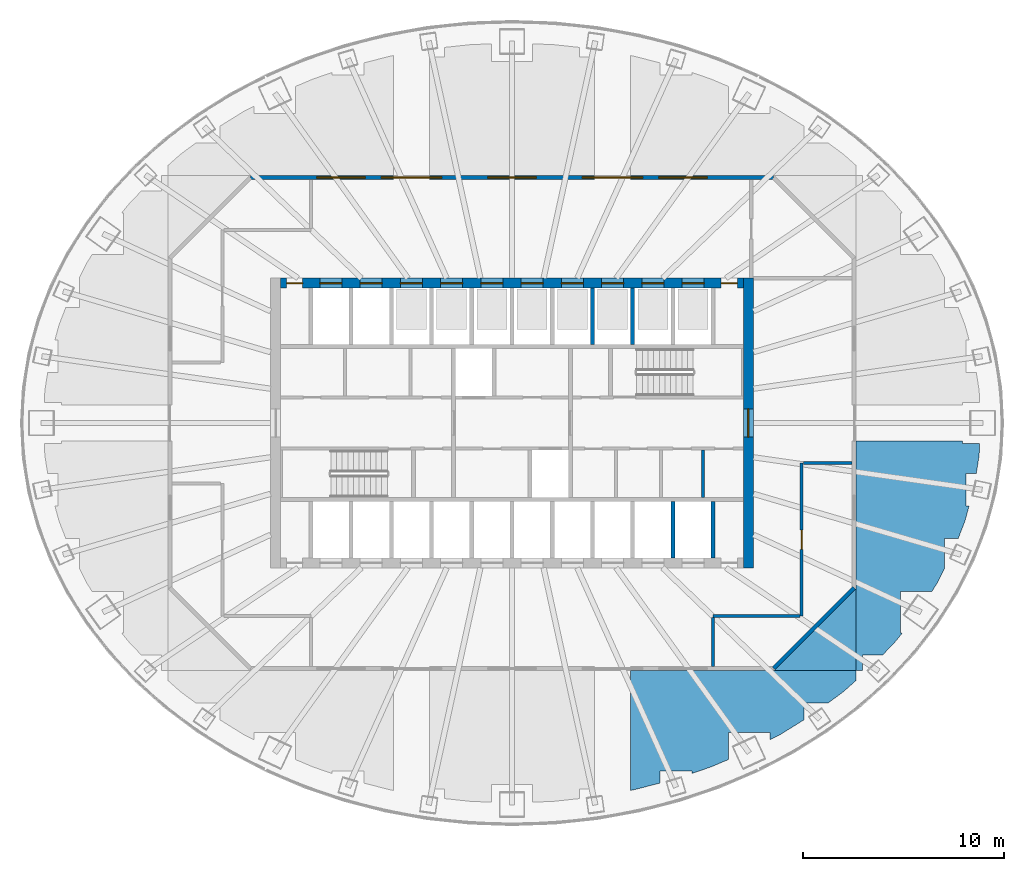
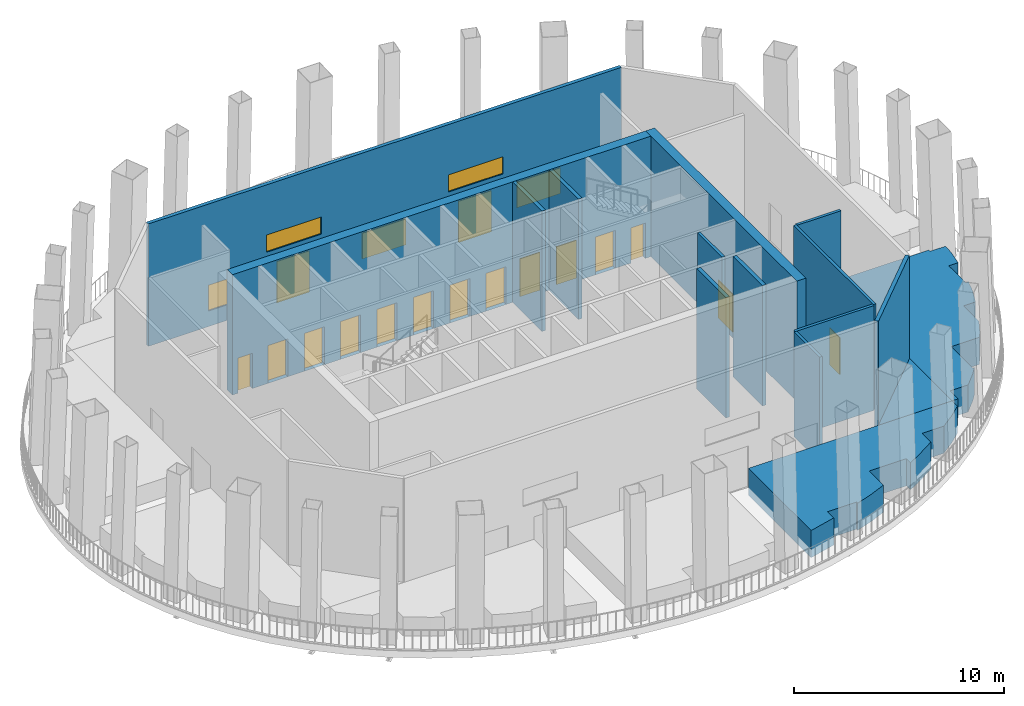
# One storey, part 6 of 15: 16 doors, 16 walls, 5 windows, 21 openings.
"""IFC4 building model written with IfcOpenShell, lengths in metres."""

import ifcopenshell
import ifcopenshell.guid

model = None  # the IFC model being written
_history = None  # IfcOwnerHistory: only IFC2X3 demands one
_inside = {}  # id of a spatial element -> (the spatial element, [elements in it])
_under = {}  # id of a project, library or spatial element -> (it, [spatial elements below it])
_declared = {}  # id of a project -> (the project, [libraries it declares])
_typed = {}  # id of a type object -> (the type object, [elements of that type])
_made_of = {}  # id of a material, layer set ... -> (it, [elements and type objects made of it])


def new_model(schema):
    """Start an empty IFC model of exactly this schema.

    Asked for "IFC4X3", IfcOpenShell would pick the latest addendum, in which some entities
    have other attributes; the version numbers below select the first issue.
    IFC2X3 requires an IfcOwnerHistory on every rooted entity: one is made here for all.
    """
    global model, _history
    if schema == "IFC4X3":
        model = ifcopenshell.file(schema_version=(4, 3, 0, 0))
    else:
        model = ifcopenshell.file(schema=schema)
    _inside.clear()
    _under.clear()
    _declared.clear()
    _typed.clear()
    _made_of.clear()
    _history = None
    if model.schema == "IFC2X3":
        org = make("IfcOrganization", Name="unknown")
        user = make(
            "IfcPersonAndOrganization",
            ThePerson=make("IfcPerson", FamilyName="unknown"),
            TheOrganization=org,
        )
        app = make(
            "IfcApplication",
            ApplicationDeveloper=org,
            Version="unknown",
            ApplicationFullName="unknown",
            ApplicationIdentifier="unknown",
        )
        _history = make(
            "IfcOwnerHistory",
            OwningUser=user,
            OwningApplication=app,
            ChangeAction="ADDED",
            CreationDate=0,
        )
    return model


def make(cls, **values):
    """One entity of the class cls with the attributes given. An attribute that is None is left unset."""
    return model.create_entity(
        cls, **{name: value for name, value in values.items() if value is not None}
    )


def rooted(cls, **values):
    """An entity with a GlobalId (a new one), such as an element, a storey or a relation."""
    return make(cls, GlobalId=ifcopenshell.guid.new(), OwnerHistory=_history, **values)


def si_unit(unit_type, name, prefix=None):
    """IfcSIUnit, for example si_unit("LENGTHUNIT", "METRE", prefix="MILLI")."""
    return make("IfcSIUnit", UnitType=unit_type, Prefix=prefix, Name=name)


def assignment(units):
    """IfcUnitAssignment: the units of a project."""
    return None if units is None else make("IfcUnitAssignment", Units=units)


def point(xyz):
    """IfcCartesianPoint."""
    return None if xyz is None else make("IfcCartesianPoint", Coordinates=xyz)


def direction(xyz):
    """IfcDirection."""
    return None if xyz is None else make("IfcDirection", DirectionRatios=xyz)


def frame(location, z_axis=None, x_axis=None):
    """IfcAxis2Placement3D, a coordinate frame: its origin and axes. An axis left out is left unset."""
    return make(
        "IfcAxis2Placement3D",
        Location=point(location),
        Axis=direction(z_axis),
        RefDirection=direction(x_axis),
    )


def frame_2d(location, x_axis=None):
    """IfcAxis2Placement2D, a coordinate frame in the plane: its origin and x axis."""
    return make(
        "IfcAxis2Placement2D", Location=point(location), RefDirection=direction(x_axis)
    )


def origin():
    """The frame at (0, 0, 0) with its axes left unset."""
    return frame((0.0, 0.0, 0.0))


def place(relative_to, where):
    """IfcLocalPlacement: puts the frame where relative to a parent placement (None: the world)."""
    return make(
        "IfcLocalPlacement", PlacementRelTo=relative_to, RelativePlacement=where
    )


def context(
    kind, dimensions, precision=None, world=None, true_north=None, identifier=None
):
    """IfcGeometricRepresentationContext, for example the 3D "Model" context."""
    return make(
        "IfcGeometricRepresentationContext",
        ContextIdentifier=identifier,
        ContextType=kind,
        CoordinateSpaceDimension=dimensions,
        Precision=precision,
        WorldCoordinateSystem=world,
        TrueNorth=true_north,
    )


def subcontext(parent, identifier, kind, view, scale=None):
    """IfcGeometricRepresentationSubContext, for example "Body" below "Model"."""
    return make(
        "IfcGeometricRepresentationSubContext",
        ContextIdentifier=identifier,
        ContextType=kind,
        ParentContext=parent,
        TargetScale=scale,
        TargetView=view,
    )


def project(units=None, contexts=None):
    """IfcProject with its units and contexts."""
    return rooted(
        "IfcProject",
        Name="project",
        RepresentationContexts=contexts,
        UnitsInContext=assignment(units),
    )


def spatial(cls, under=None, at=None, **own):
    """A site, building, storey or space (cls), placed at a placement, below another one or the project."""
    s = rooted(cls, ObjectPlacement=at, **own)
    if under is not None:
        _under.setdefault(under.id(), (under, []))[1].append(s)
    return s


def polyline(points):
    """IfcPolyline through the points."""
    return make("IfcPolyline", Points=[point(p) for p in points])


def profile(cls, at=None, kind="AREA", **sizes):
    """A parametric profile (cls). Its sizes go by their IFC names, for example OverallWidth=200.0."""
    return make(cls, ProfileType=kind, Position=at, **sizes)


def rectangle(**sizes):
    """IfcRectangleProfileDef."""
    return profile("IfcRectangleProfileDef", **sizes)


def outline(outer, holes=None, kind="AREA"):
    """IfcArbitraryClosedProfileDef: a profile drawn as a closed curve; with holes, ...WithVoids."""
    if holes is None:
        return make("IfcArbitraryClosedProfileDef", ProfileType=kind, OuterCurve=outer)
    return make(
        "IfcArbitraryProfileDefWithVoids",
        ProfileType=kind,
        OuterCurve=outer,
        InnerCurves=holes,
    )


def extrude(swept, where, along, depth):
    """IfcExtrudedAreaSolid: the profile swept, set in the frame where, extruded along a direction by depth."""
    return make(
        "IfcExtrudedAreaSolid",
        SweptArea=swept,
        Position=where,
        ExtrudedDirection=direction(along),
        Depth=depth,
    )


def shape(context_of_items, identifier, shape_type, items):
    """IfcShapeRepresentation: the items that make up one representation, for example the "Body"."""
    return make(
        "IfcShapeRepresentation",
        ContextOfItems=context_of_items,
        RepresentationIdentifier=identifier,
        RepresentationType=shape_type,
        Items=items,
    )


def material(Name=None, Category=None):
    """IfcMaterial."""
    return make("IfcMaterial", Name=Name, Category=Category)


def layer(
    of_material, thickness, ventilated=None, Name=None, Category=None, Priority=None
):
    """IfcMaterialLayer: one layer of a wall or slab, of a material (None: an air gap)."""
    return make(
        "IfcMaterialLayer",
        Material=of_material,
        LayerThickness=thickness,
        IsVentilated=ventilated,
        Name=Name,
        Category=Category,
        Priority=Priority,
    )


def layer_set(layers, Name=None):
    """IfcMaterialLayerSet."""
    return make("IfcMaterialLayerSet", MaterialLayers=layers, LayerSetName=Name)


def made_of(thing, what):
    """Note that an element or type object is made of a material, layer set ...; save() writes the relation."""
    if what is not None:
        _made_of.setdefault(what.id(), (what, []))[1].append(thing)
    return thing


def type_object(cls, material=None, **own):
    """A type object (cls), such as IfcWallType, which elements share."""
    return made_of(rooted(cls, **own), material)


def element(
    cls,
    number,
    at=None,
    inside=None,
    cuts=None,
    type_object=None,
    material=None,
    context=None,
    identifier="Body",
    shape_type=None,
    held_by="IfcProductDefinitionShape",
    body=None,
    shapes=None,
    **own,
):
    """One element of the class cls, such as IfcWall. Its Tag is "e" and its number.

    at: its placement. inside: the storey or other place that contains it. cuts: it is an
    opening in that element (IfcRelVoidsElement). A single representation is given by context,
    identifier, shape_type and body (its items); several are given by shapes. held_by: the class
    of the entity that holds the representations. save() writes the other relations.
    """
    e = rooted(cls, Tag="e%d" % number, ObjectPlacement=at, **own)
    if body is not None:
        shapes = [shape(context, identifier, shape_type, body)]
    if shapes is not None:
        e.Representation = make(held_by, Representations=shapes)
    if inside is not None:
        _inside.setdefault(inside.id(), (inside, []))[1].append(e)
    if cuts is not None:
        rooted(
            "IfcRelVoidsElement", RelatingBuildingElement=cuts, RelatedOpeningElement=e
        )
    if type_object is not None:
        _typed.setdefault(type_object.id(), (type_object, []))[1].append(e)
    return made_of(e, material)


def fill(opening, filler):
    """IfcRelFillsElement: the door or window that sits in an opening."""
    return rooted(
        "IfcRelFillsElement",
        RelatingOpeningElement=opening,
        RelatedBuildingElement=filler,
    )


def aggregate(whole, parts):
    """IfcRelAggregates: a whole, such as a stair, and the parts it consists of."""
    return rooted("IfcRelAggregates", RelatingObject=whole, RelatedObjects=parts)


def save(model, path):
    """Write the relations noted so far, then the file.

    IfcRelAggregates (storeys below a building ...), IfcRelContainedInSpatialStructure (elements
    in a storey), IfcRelDefinesByType, IfcRelAssociatesMaterial and IfcRelDeclares: one each for
    every whole, place, type object, material and project.
    """
    for whole, parts in _under.values():
        aggregate(whole, parts)
    for where, things in _inside.values():
        rooted(
            "IfcRelContainedInSpatialStructure",
            RelatedElements=things,
            RelatingStructure=where,
        )
    for kind, things in _typed.values():
        rooted("IfcRelDefinesByType", RelatedObjects=things, RelatingType=kind)
    for what, things in _made_of.values():
        rooted("IfcRelAssociatesMaterial", RelatedObjects=things, RelatingMaterial=what)
    for by, libraries in _declared.values():
        rooted("IfcRelDeclares", RelatingContext=by, RelatedDefinitions=libraries)
    model.write(path)


model = new_model("IFC4")

# Units and contexts
model_context = context("Model", 3, precision=1e-05, world=origin(), true_north=direction((0.0, 1.0)))
body_context = subcontext(model_context, "Body", "Model", "MODEL_VIEW")
ifc_project = project(units=[si_unit("LENGTHUNIT", "METRE"), si_unit("AREAUNIT", "SQUARE_METRE"), si_unit("VOLUMEUNIT", "CUBIC_METRE"), si_unit("PLANEANGLEUNIT", "RADIAN"), si_unit("MASSUNIT", "GRAM", prefix="KILO")], contexts=[model_context])

# Site, building, storey
site_placement = place(None, origin())
site = spatial("IfcSite", under=ifc_project, at=site_placement, CompositionType="ELEMENT")
building_placement = place(site_placement, origin())
building = spatial("IfcBuilding", under=site, at=building_placement, Name="Siaravel Broadcast Tower", CompositionType="ELEMENT")
storey_placement = place(building_placement, frame((0.0, 0.0, 145.199951171875)))
storey = spatial("IfcBuildingStorey", under=building, at=storey_placement, Name="L35", CompositionType="ELEMENT", Elevation=145.199951171875)

# Wall
ifc_material_1 = material(Name="Concrete blockwork", Category="masonry")
ifc_layer_1 = layer(ifc_material_1, 0.14990234375)
ifc_layer_set_1 = layer_set([ifc_layer_1], Name="Concrete blockwork")
wall_type_1 = type_object("IfcWallType", Name="Core partition 150", PredefinedType="PARTITIONING", material=ifc_layer_set_1)
wall_1_placement = place(storey_placement, frame((9.492919921875, -3.699951171875, 0.0), z_axis=(0.0, 0.0, 1.0), x_axis=(0.0, 1.0, 0.0)))
element("IfcWall", 1, at=wall_1_placement, inside=storey, type_object=wall_type_1, Name="L35 core partition PSE2", PredefinedType="PARTITIONING", context=body_context, shape_type="SweptSolid", body=[
    extrude(rectangle(XDim=2.349853515625, YDim=0.14990234375, at=frame_2d((1.1748046875, 0.0))), origin(), (0.0, 0.0, 1.0), 7.0),
])

# Wall, opening, door
ifc_material_2 = material(Name="Concrete C60/75", Category="concrete")
ifc_layer_2 = layer(ifc_material_2, 0.5)
ifc_layer_set_2 = layer_set([ifc_layer_2], Name="Concrete C60/75")
wall_type_2 = type_object("IfcWallType", Name="Core wall 500", PredefinedType="SHEAR", material=ifc_layer_set_2)
wall_2_placement = place(storey_placement, frame((11.75, -7.199951171875, 0.0), z_axis=(0.0, 0.0, 1.0), x_axis=(0.0, 1.0, 0.0)))
wall_2 = element("IfcWall", 2, at=wall_2_placement, inside=storey, type_object=wall_type_2, Name="L35 core wall OE", PredefinedType="SHEAR", context=body_context, shape_type="SweptSolid", body=[
    extrude(rectangle(XDim=14.39990234375, YDim=0.5, at=frame_2d((7.199951171875, 0.0))), origin(), (0.0, 0.0, 1.0), 7.0),
])
opening_1_placement = place(wall_2_placement, frame((6.5, 0.0, 0.0)))
opening_1 = element("IfcOpeningElement", 3, at=opening_1_placement, cuts=wall_2, Name="Opening L35-DX-E", PredefinedType="OPENING", context=body_context, shape_type="SweptSolid", body=[
    extrude(rectangle(XDim=1.39990234375, YDim=2.199951171875, at=frame_2d((0.699951171875, 1.10009765625))), frame((0.0, 0.260009765625, 0.0), z_axis=(0.0, -1.0, 0.0), x_axis=(1.0, 0.0, 0.0)), (0.0, 0.0, 1.0), 0.52001953125),
])
ifc_material_3 = material(Name="Steel", Category="steel")
door_type_1 = type_object("IfcDoorType", Name="Core exit door 1400", OperationType="DOUBLE_DOOR_SINGLE_SWING", PredefinedType="DOOR", material=ifc_material_3)
door_1_placement = place(opening_1_placement, origin())
door_1 = element("IfcDoor", 4, at=door_1_placement, inside=storey, type_object=door_type_1, Name="L35 door DX-E", OperationType="DOUBLE_DOOR_SINGLE_SWING", OverallHeight=2.199951171875, OverallWidth=1.39990234375, PredefinedType="DOOR", context=body_context, shape_type="SweptSolid", body=[
    extrude(rectangle(XDim=1.39990234375, YDim=2.199951171875, at=frame_2d((0.699951171875, 1.10009765625))), frame((0.0, 0.02490234375, 0.0), z_axis=(0.0, -1.0, 0.0), x_axis=(1.0, 0.0, 0.0)), (0.0, 0.0, 1.0), 0.050048828125),
])
fill(opening_1, door_1)

# Wall, openings, doors
wall_3_placement = place(storey_placement, frame((-11.5, 6.949951171875, 0.0), z_axis=(0.0, 0.0, 1.0), x_axis=(1.0, 0.0, 0.0)))
wall_3 = element("IfcWall", 5, at=wall_3_placement, inside=storey, type_object=wall_type_2, Name="L35 core wall ON", PredefinedType="SHEAR", context=body_context, shape_type="SweptSolid", body=[
    extrude(rectangle(XDim=23.0, YDim=0.5, at=frame_2d((11.5, 0.0))), origin(), (0.0, 0.0, 1.0), 7.0),
])
opening_2_placement = place(wall_3_placement, frame((1.949951171875, 0.0, 0.0)))
opening_2 = element("IfcOpeningElement", 6, at=opening_2_placement, cuts=wall_3, Name="Opening LD-SV2-L35", PredefinedType="OPENING", context=body_context, shape_type="SweptSolid", body=[
    extrude(rectangle(XDim=1.10009765625, YDim=2.199951171875, at=frame_2d((0.550048828125, 1.10009765625))), frame((0.0, 0.260009765625, 0.0), z_axis=(0.0, -1.0, 0.0), x_axis=(1.0, 0.0, 0.0)), (0.0, 0.0, 1.0), 0.52001953125),
])
opening_3_placement = place(wall_3_placement, frame((3.949951171875, 0.0, 0.0)))
opening_3 = element("IfcOpeningElement", 7, at=opening_3_placement, cuts=wall_3, Name="Opening LD-SH2-L35", PredefinedType="OPENING", context=body_context, shape_type="SweptSolid", body=[
    extrude(rectangle(XDim=1.10009765625, YDim=2.199951171875, at=frame_2d((0.550048828125, 1.10009765625))), frame((0.0, 0.260009765625, 0.0), z_axis=(0.0, -1.0, 0.0), x_axis=(1.0, 0.0, 0.0)), (0.0, 0.0, 1.0), 0.52001953125),
])
opening_4_placement = place(wall_3_placement, frame((5.949951171875, 0.0, 0.0)))
opening_4 = element("IfcOpeningElement", 8, at=opening_4_placement, cuts=wall_3, Name="Opening LD-HP1-L35", PredefinedType="OPENING", context=body_context, shape_type="SweptSolid", body=[
    extrude(rectangle(XDim=1.10009765625, YDim=2.199951171875, at=frame_2d((0.550048828125, 1.10009765625))), frame((0.0, 0.260009765625, 0.0), z_axis=(0.0, -1.0, 0.0), x_axis=(1.0, 0.0, 0.0)), (0.0, 0.0, 1.0), 0.52001953125),
])
opening_5_placement = place(wall_3_placement, frame((7.949951171875, 0.0, 0.0)))
opening_5 = element("IfcOpeningElement", 9, at=opening_5_placement, cuts=wall_3, Name="Opening LD-HP2-L35", PredefinedType="OPENING", context=body_context, shape_type="SweptSolid", body=[
    extrude(rectangle(XDim=1.10009765625, YDim=2.199951171875, at=frame_2d((0.550048828125, 1.10009765625))), frame((0.0, 0.260009765625, 0.0), z_axis=(0.0, -1.0, 0.0), x_axis=(1.0, 0.0, 0.0)), (0.0, 0.0, 1.0), 0.52001953125),
])
opening_6_placement = place(wall_3_placement, frame((9.949951171875, 0.0, 0.0)))
opening_6 = element("IfcOpeningElement", 10, at=opening_6_placement, cuts=wall_3, Name="Opening LD-HP3-L35", PredefinedType="OPENING", context=body_context, shape_type="SweptSolid", body=[
    extrude(rectangle(XDim=1.10009765625, YDim=2.199951171875, at=frame_2d((0.550048828125, 1.10009765625))), frame((0.0, 0.260009765625, 0.0), z_axis=(0.0, -1.0, 0.0), x_axis=(1.0, 0.0, 0.0)), (0.0, 0.0, 1.0), 0.52001953125),
])
opening_7_placement = place(wall_3_placement, frame((11.949951171875, 0.0, 0.0)))
opening_7 = element("IfcOpeningElement", 11, at=opening_7_placement, cuts=wall_3, Name="Opening LD-HP4-L35", PredefinedType="OPENING", context=body_context, shape_type="SweptSolid", body=[
    extrude(rectangle(XDim=1.10009765625, YDim=2.199951171875, at=frame_2d((0.550048828125, 1.10009765625))), frame((0.0, 0.260009765625, 0.0), z_axis=(0.0, -1.0, 0.0), x_axis=(1.0, 0.0, 0.0)), (0.0, 0.0, 1.0), 0.52001953125),
])
opening_8_placement = place(wall_3_placement, frame((13.949951171875, 0.0, 0.0)))
opening_8 = element("IfcOpeningElement", 12, at=opening_8_placement, cuts=wall_3, Name="Opening LD-HP5-L35", PredefinedType="OPENING", context=body_context, shape_type="SweptSolid", body=[
    extrude(rectangle(XDim=1.10009765625, YDim=2.199951171875, at=frame_2d((0.550048828125, 1.10009765625))), frame((0.0, 0.260009765625, 0.0), z_axis=(0.0, -1.0, 0.0), x_axis=(1.0, 0.0, 0.0)), (0.0, 0.0, 1.0), 0.52001953125),
])
opening_9_placement = place(wall_3_placement, frame((15.949951171875, 0.0, 0.0)))
opening_9 = element("IfcOpeningElement", 13, at=opening_9_placement, cuts=wall_3, Name="Opening LD-HP6-L35", PredefinedType="OPENING", context=body_context, shape_type="SweptSolid", body=[
    extrude(rectangle(XDim=1.10009765625, YDim=2.199951171875, at=frame_2d((0.550048828125, 1.10009765625))), frame((0.0, 0.260009765625, 0.0), z_axis=(0.0, -1.0, 0.0), x_axis=(1.0, 0.0, 0.0)), (0.0, 0.0, 1.0), 0.52001953125),
])
opening_10_placement = place(wall_3_placement, frame((17.949951171875, 0.0, 0.0)))
opening_10 = element("IfcOpeningElement", 14, at=opening_10_placement, cuts=wall_3, Name="Opening LD-HP7-L35", PredefinedType="OPENING", context=body_context, shape_type="SweptSolid", body=[
    extrude(rectangle(XDim=1.10009765625, YDim=2.199951171875, at=frame_2d((0.550048828125, 1.10009765625))), frame((0.0, 0.260009765625, 0.0), z_axis=(0.0, -1.0, 0.0), x_axis=(1.0, 0.0, 0.0)), (0.0, 0.0, 1.0), 0.52001953125),
])
opening_11_placement = place(wall_3_placement, frame((19.949951171875, 0.0, 0.0)))
opening_11 = element("IfcOpeningElement", 15, at=opening_11_placement, cuts=wall_3, Name="Opening LD-HP8-L35", PredefinedType="OPENING", context=body_context, shape_type="SweptSolid", body=[
    extrude(rectangle(XDim=1.10009765625, YDim=2.199951171875, at=frame_2d((0.550048828125, 1.10009765625))), frame((0.0, 0.260009765625, 0.0), z_axis=(0.0, -1.0, 0.0), x_axis=(1.0, 0.0, 0.0)), (0.0, 0.0, 1.0), 0.52001953125),
])
opening_12_placement = place(wall_3_placement, frame((0.300048828125, 0.0, 0.0)))
opening_12 = element("IfcOpeningElement", 16, at=opening_12_placement, cuts=wall_3, Name="Opening L35-DRNW", PredefinedType="OPENING", context=body_context, shape_type="SweptSolid", body=[
    extrude(rectangle(XDim=0.800048828125, YDim=2.050048828125, at=frame_2d((0.39990234375, 1.02490234375))), frame((0.0, 0.260009765625, 0.0), z_axis=(0.0, -1.0, 0.0), x_axis=(1.0, 0.0, 0.0)), (0.0, 0.0, 1.0), 0.52001953125),
])
opening_13_placement = place(wall_3_placement, frame((21.89990234375, 0.0, 0.0)))
opening_13 = element("IfcOpeningElement", 17, at=opening_13_placement, cuts=wall_3, Name="Opening L35-DRNE", PredefinedType="OPENING", context=body_context, shape_type="SweptSolid", body=[
    extrude(rectangle(XDim=0.800048828125, YDim=2.050048828125, at=frame_2d((0.39990234375, 1.02490234375))), frame((0.0, 0.260009765625, 0.0), z_axis=(0.0, -1.0, 0.0), x_axis=(1.0, 0.0, 0.0)), (0.0, 0.0, 1.0), 0.52001953125),
])
ifc_material_4 = material(Name="Stainless steel 316L", Category="steel")
door_type_2 = type_object("IfcDoorType", Name="Lift landing door 1100", OperationType="DOUBLE_DOOR_SLIDING", PredefinedType="DOOR", material=ifc_material_4)
door_2_placement = place(opening_3_placement, origin())
door_2 = element("IfcDoor", 18, at=door_2_placement, inside=storey, type_object=door_type_2, Name="Landing door SH2 L35", OperationType="DOUBLE_DOOR_SLIDING", OverallHeight=2.199951171875, OverallWidth=1.10009765625, PredefinedType="DOOR", context=body_context, shape_type="SweptSolid", body=[
    extrude(rectangle(XDim=1.10009765625, YDim=2.199951171875, at=frame_2d((0.550048828125, 1.10009765625))), frame((0.0, 0.02490234375, 0.0), z_axis=(0.0, -1.0, 0.0), x_axis=(1.0, 0.0, 0.0)), (0.0, 0.0, 1.0), 0.050048828125),
])
fill(opening_3, door_2)
door_3_placement = place(opening_4_placement, origin())
door_3 = element("IfcDoor", 19, at=door_3_placement, inside=storey, type_object=door_type_2, Name="Landing door HP1 L35", OperationType="DOUBLE_DOOR_SLIDING", OverallHeight=2.199951171875, OverallWidth=1.10009765625, PredefinedType="DOOR", context=body_context, shape_type="SweptSolid", body=[
    extrude(rectangle(XDim=1.10009765625, YDim=2.199951171875, at=frame_2d((0.550048828125, 1.10009765625))), frame((0.0, 0.02490234375, 0.0), z_axis=(0.0, -1.0, 0.0), x_axis=(1.0, 0.0, 0.0)), (0.0, 0.0, 1.0), 0.050048828125),
])
fill(opening_4, door_3)
door_4_placement = place(opening_5_placement, origin())
door_4 = element("IfcDoor", 20, at=door_4_placement, inside=storey, type_object=door_type_2, Name="Landing door HP2 L35", OperationType="DOUBLE_DOOR_SLIDING", OverallHeight=2.199951171875, OverallWidth=1.10009765625, PredefinedType="DOOR", context=body_context, shape_type="SweptSolid", body=[
    extrude(rectangle(XDim=1.10009765625, YDim=2.199951171875, at=frame_2d((0.550048828125, 1.10009765625))), frame((0.0, 0.02490234375, 0.0), z_axis=(0.0, -1.0, 0.0), x_axis=(1.0, 0.0, 0.0)), (0.0, 0.0, 1.0), 0.050048828125),
])
fill(opening_5, door_4)
door_5_placement = place(opening_6_placement, origin())
door_5 = element("IfcDoor", 21, at=door_5_placement, inside=storey, type_object=door_type_2, Name="Landing door HP3 L35", OperationType="DOUBLE_DOOR_SLIDING", OverallHeight=2.199951171875, OverallWidth=1.10009765625, PredefinedType="DOOR", context=body_context, shape_type="SweptSolid", body=[
    extrude(rectangle(XDim=1.10009765625, YDim=2.199951171875, at=frame_2d((0.550048828125, 1.10009765625))), frame((0.0, 0.02490234375, 0.0), z_axis=(0.0, -1.0, 0.0), x_axis=(1.0, 0.0, 0.0)), (0.0, 0.0, 1.0), 0.050048828125),
])
fill(opening_6, door_5)
door_6_placement = place(opening_7_placement, origin())
door_6 = element("IfcDoor", 22, at=door_6_placement, inside=storey, type_object=door_type_2, Name="Landing door HP4 L35", OperationType="DOUBLE_DOOR_SLIDING", OverallHeight=2.199951171875, OverallWidth=1.10009765625, PredefinedType="DOOR", context=body_context, shape_type="SweptSolid", body=[
    extrude(rectangle(XDim=1.10009765625, YDim=2.199951171875, at=frame_2d((0.550048828125, 1.10009765625))), frame((0.0, 0.02490234375, 0.0), z_axis=(0.0, -1.0, 0.0), x_axis=(1.0, 0.0, 0.0)), (0.0, 0.0, 1.0), 0.050048828125),
])
fill(opening_7, door_6)
door_7_placement = place(opening_8_placement, origin())
door_7 = element("IfcDoor", 23, at=door_7_placement, inside=storey, type_object=door_type_2, Name="Landing door HP5 L35", OperationType="DOUBLE_DOOR_SLIDING", OverallHeight=2.199951171875, OverallWidth=1.10009765625, PredefinedType="DOOR", context=body_context, shape_type="SweptSolid", body=[
    extrude(rectangle(XDim=1.10009765625, YDim=2.199951171875, at=frame_2d((0.550048828125, 1.10009765625))), frame((0.0, 0.02490234375, 0.0), z_axis=(0.0, -1.0, 0.0), x_axis=(1.0, 0.0, 0.0)), (0.0, 0.0, 1.0), 0.050048828125),
])
fill(opening_8, door_7)
door_8_placement = place(opening_9_placement, origin())
door_8 = element("IfcDoor", 24, at=door_8_placement, inside=storey, type_object=door_type_2, Name="Landing door HP6 L35", OperationType="DOUBLE_DOOR_SLIDING", OverallHeight=2.199951171875, OverallWidth=1.10009765625, PredefinedType="DOOR", context=body_context, shape_type="SweptSolid", body=[
    extrude(rectangle(XDim=1.10009765625, YDim=2.199951171875, at=frame_2d((0.550048828125, 1.10009765625))), frame((0.0, 0.02490234375, 0.0), z_axis=(0.0, -1.0, 0.0), x_axis=(1.0, 0.0, 0.0)), (0.0, 0.0, 1.0), 0.050048828125),
])
fill(opening_9, door_8)
door_9_placement = place(opening_10_placement, origin())
door_9 = element("IfcDoor", 25, at=door_9_placement, inside=storey, type_object=door_type_2, Name="Landing door HP7 L35", OperationType="DOUBLE_DOOR_SLIDING", OverallHeight=2.199951171875, OverallWidth=1.10009765625, PredefinedType="DOOR", context=body_context, shape_type="SweptSolid", body=[
    extrude(rectangle(XDim=1.10009765625, YDim=2.199951171875, at=frame_2d((0.550048828125, 1.10009765625))), frame((0.0, 0.02490234375, 0.0), z_axis=(0.0, -1.0, 0.0), x_axis=(1.0, 0.0, 0.0)), (0.0, 0.0, 1.0), 0.050048828125),
])
fill(opening_10, door_9)
door_10_placement = place(opening_11_placement, origin())
door_10 = element("IfcDoor", 26, at=door_10_placement, inside=storey, type_object=door_type_2, Name="Landing door HP8 L35", OperationType="DOUBLE_DOOR_SLIDING", OverallHeight=2.199951171875, OverallWidth=1.10009765625, PredefinedType="DOOR", context=body_context, shape_type="SweptSolid", body=[
    extrude(rectangle(XDim=1.10009765625, YDim=2.199951171875, at=frame_2d((0.550048828125, 1.10009765625))), frame((0.0, 0.02490234375, 0.0), z_axis=(0.0, -1.0, 0.0), x_axis=(1.0, 0.0, 0.0)), (0.0, 0.0, 1.0), 0.050048828125),
])
fill(opening_11, door_10)
door_type_3 = type_object("IfcDoorType", Name="Riser door 800", OperationType="SINGLE_SWING_LEFT", PredefinedType="DOOR", material=ifc_material_3)
door_11_placement = place(opening_12_placement, origin())
door_11 = element("IfcDoor", 27, at=door_11_placement, inside=storey, type_object=door_type_3, Name="L35 door DRNW", OperationType="SINGLE_SWING_LEFT", OverallHeight=2.050048828125, OverallWidth=0.800048828125, PredefinedType="DOOR", context=body_context, shape_type="SweptSolid", body=[
    extrude(rectangle(XDim=0.800048828125, YDim=2.050048828125, at=frame_2d((0.39990234375, 1.02490234375))), frame((0.0, 0.02490234375, 0.0), z_axis=(0.0, -1.0, 0.0), x_axis=(1.0, 0.0, 0.0)), (0.0, 0.0, 1.0), 0.050048828125),
])
fill(opening_12, door_11)
door_12_placement = place(opening_13_placement, origin())
door_12 = element("IfcDoor", 28, at=door_12_placement, inside=storey, type_object=door_type_3, Name="L35 door DRNE", OperationType="SINGLE_SWING_LEFT", OverallHeight=2.050048828125, OverallWidth=0.800048828125, PredefinedType="DOOR", context=body_context, shape_type="SweptSolid", body=[
    extrude(rectangle(XDim=0.800048828125, YDim=2.050048828125, at=frame_2d((0.39990234375, 1.02490234375))), frame((0.0, 0.02490234375, 0.0), z_axis=(0.0, -1.0, 0.0), x_axis=(1.0, 0.0, 0.0)), (0.0, 0.0, 1.0), 0.050048828125),
])
fill(opening_13, door_12)
door_type_4 = type_object("IfcDoorType", Name="Service lift landing door 1100", OperationType="DOUBLE_DOOR_SLIDING", PredefinedType="DOOR", material=ifc_material_4)
door_13_placement = place(opening_2_placement, origin())
door_13 = element("IfcDoor", 29, at=door_13_placement, inside=storey, type_object=door_type_4, Name="Landing door SV2 L35", OperationType="DOUBLE_DOOR_SLIDING", OverallHeight=2.199951171875, OverallWidth=1.10009765625, PredefinedType="DOOR", context=body_context, shape_type="SweptSolid", body=[
    extrude(rectangle(XDim=1.10009765625, YDim=2.199951171875, at=frame_2d((0.550048828125, 1.10009765625))), frame((0.0, 0.02490234375, 0.0), z_axis=(0.0, -1.0, 0.0), x_axis=(1.0, 0.0, 0.0)), (0.0, 0.0, 1.0), 0.050048828125),
])
fill(opening_2, door_13)

# Wall, opening, door
ifc_material_5 = material(Name="Gypsum board partition", Category="gypsum")
ifc_layer_3 = layer(ifc_material_5, 0.14990234375)
ifc_layer_set_3 = layer_set([ifc_layer_3], Name="Gypsum board partition")
wall_type_3 = type_object("IfcWallType", Name="Corridor wall 150", PredefinedType="PARTITIONING", material=ifc_layer_set_3)
wall_4_placement = place(storey_placement, frame((14.39990234375, -2.0, 0.0), z_axis=(0.0, 0.0, 1.0), x_axis=(0.0, -1.0, 0.0)))
wall_4 = element("IfcWall", 30, at=wall_4_placement, inside=storey, type_object=wall_type_3, Name="L35 partition 1", PredefinedType="PARTITIONING", context=body_context, shape_type="SweptSolid", body=[
    extrude(rectangle(XDim=7.60009765625, YDim=0.14990234375, at=frame_2d((3.800048828125, 0.0))), origin(), (0.0, 0.0, 1.0), 6.10009765625),
])
opening_14_placement = place(wall_4_placement, frame((3.324951171875, 0.0, 0.0)))
opening_14 = element("IfcOpeningElement", 31, at=opening_14_placement, cuts=wall_4, Name="Opening L35-001", PredefinedType="OPENING", context=body_context, shape_type="SweptSolid", body=[
    extrude(rectangle(XDim=0.949951171875, YDim=2.14990234375, at=frame_2d((0.47509765625, 1.074951171875))), frame((0.0, 0.0849609375, 0.0), z_axis=(0.0, -1.0, 0.0), x_axis=(1.0, 0.0, 0.0)), (0.0, 0.0, 1.0), 0.169921875),
])
ifc_material_6 = material(Name="Timber veneer", Category="wood")
door_type_5 = type_object("IfcDoorType", Name="Office door 950", OperationType="SINGLE_SWING_LEFT", PredefinedType="DOOR", material=ifc_material_6)
door_14_placement = place(opening_14_placement, origin())
door_14 = element("IfcDoor", 32, at=door_14_placement, inside=storey, type_object=door_type_5, Name="L35 door to Sky lounge", OperationType="SINGLE_SWING_LEFT", OverallHeight=2.14990234375, OverallWidth=0.949951171875, PredefinedType="DOOR", context=body_context, shape_type="SweptSolid", body=[
    extrude(rectangle(XDim=0.949951171875, YDim=2.14990234375, at=frame_2d((0.47509765625, 1.074951171875))), frame((0.0, 0.02490234375, 0.0), z_axis=(0.0, -1.0, 0.0), x_axis=(1.0, 0.0, 0.0)), (0.0, 0.0, 1.0), 0.050048828125),
])
fill(opening_14, door_14)

# Walls
wall_5_placement = place(storey_placement, frame((14.322998046875, -9.60009765625, 0.0), z_axis=(0.0, 0.0, 1.0), x_axis=(-1.0, 0.0, 0.0)))
element("IfcWall", 33, at=wall_5_placement, inside=storey, type_object=wall_type_3, Name="L35 partition 8", PredefinedType="PARTITIONING", context=body_context, shape_type="SweptSolid", body=[
    extrude(rectangle(XDim=4.322998046875, YDim=0.14990234375, at=frame_2d((2.16162109375, 0.0))), origin(), (0.0, 0.0, 1.0), 6.10009765625),
])
wall_6_placement = place(storey_placement, frame((10.0, -9.677001953125, 0.0), z_axis=(0.0, 0.0, 1.0), x_axis=(0.0, -1.0, 0.0)))
element("IfcWall", 34, at=wall_6_placement, inside=storey, type_object=wall_type_3, Name="L35 partition 11", PredefinedType="PARTITIONING", context=body_context, shape_type="SweptSolid", body=[
    extrude(rectangle(XDim=2.423095703125, YDim=0.14990234375, at=frame_2d((1.21142578125, 0.0))), origin(), (0.0, 0.0, 1.0), 6.10009765625),
])
wall_7_placement = place(storey_placement, frame((16.89990234375, -2.0, 0.0), z_axis=(0.0, 0.0, 1.0), x_axis=(-1.0, 0.0, 0.0)))
element("IfcWall", 35, at=wall_7_placement, inside=storey, type_object=wall_type_3, Name="L35 partition 14", PredefinedType="PARTITIONING", context=body_context, shape_type="SweptSolid", body=[
    extrude(rectangle(XDim=2.4228515625, YDim=0.14990234375, at=frame_2d((1.21142578125, 0.0))), origin(), (0.0, 0.0, 1.0), 6.10009765625),
])
ifc_material_7 = material(Name="Concrete C40/50", Category="concrete")
ifc_layer_4 = layer(ifc_material_7, 1.0)
ifc_layer_set_4 = layer_set([ifc_layer_4], Name="Concrete C40/50")
wall_type_4 = type_object("IfcWallType", Name="Garden planter box", PredefinedType="ELEMENTEDWALL", material=ifc_layer_set_4)
wall_8_placement = place(storey_placement, frame((0.0, 0.0, -0.39990234375)))
element("IfcWall", 36, at=wall_8_placement, inside=storey, type_object=wall_type_4, Name="L35 garden planting bed 03", PredefinedType="ELEMENTEDWALL", context=body_context, shape_type="SweptSolid", body=[
    extrude(outline(polyline([(17.10009765625, -12.799560546875), (17.10009765625, -12.300048828125), (13.04150390625, -12.300048828125), (5.89990234375, -12.300048828125), (5.89990234375, -18.260009765625), (6.03125, -18.236328125), (7.356689453125, -17.897705078125), (7.356689453125, -17.30419921875), (8.956787109375, -17.30419921875), (8.956787109375, -17.409912109375), (9.84814453125, -17.110595703125), (10.76318359375, -16.724853515625), (10.76318359375, -15.3720703125), (12.81298828125, -15.3720703125), (12.81298828125, -15.75048828125), (13.365966796875, -15.46533203125), (14.505859375, -14.756591796875), (14.505859375, -13.92431640625), (15.703857421875, -13.92431640625), (16.4775390625, -13.349853515625), (17.10009765625, -12.799560546875)])), origin(), (0.0, 0.0, 1.0), 1.579833984375),
])
wall_9_placement = place(storey_placement, frame((0.0, 0.0, -0.39990234375)))
element("IfcWall", 37, at=wall_9_placement, inside=storey, type_object=wall_type_4, Name="L35 garden planting bed 05", PredefinedType="ELEMENTEDWALL", context=body_context, shape_type="SweptSolid", body=[
    extrude(outline(polyline([(13.04150390625, -12.300048828125), (17.10009765625, -12.300048828125), (17.10009765625, -8.241455078125), (13.04150390625, -12.300048828125)])), origin(), (0.0, 0.0, 1.0), 1.579833984375),
])
wall_10_placement = place(storey_placement, frame((0.0, 0.0, -0.39990234375)))
element("IfcWall", 38, at=wall_10_placement, inside=storey, type_object=wall_type_4, Name="L35 garden planting bed 07", PredefinedType="ELEMENTEDWALL", context=body_context, shape_type="SweptSolid", body=[
    extrude(outline(polyline([(22.5087890625, -4.886474609375), (22.71875, -4.118896484375), (22.562255859375, -4.118896484375), (22.562255859375, -2.518798828125), (23.072265625, -2.518798828125), (23.214111328125, -1.6455078125), (23.24755859375, -1.02490234375), (22.391845703125, -1.02490234375), (22.391845703125, -0.89990234375), (17.10009765625, -0.89990234375), (17.10009765625, -8.241455078125), (17.10009765625, -12.300048828125), (17.422119140625, -12.300048828125), (17.422119140625, -11.535888671875), (18.418701171875, -11.535888671875), (19.08837890625, -10.828857421875), (19.400390625, -10.432373046875), (19.30810546875, -10.432373046875), (19.30810546875, -8.38232421875), (20.8603515625, -8.38232421875), (21.119384765625, -7.97900390625), (21.507080078125, -7.220703125), (21.507080078125, -5.74365234375), (22.17529296875, -5.74365234375), (22.5087890625, -4.886474609375)])), origin(), (0.0, 0.0, 1.0), 1.579833984375),
])
ifc_layer_5 = layer(ifc_material_2, 0.199951171875)
ifc_layer_set_5 = layer_set([ifc_layer_5], Name="Concrete C60/75")
wall_type_5 = type_object("IfcWallType", Name="Shaft wall 200", PredefinedType="SHEAR", material=ifc_layer_set_5)
for number, where, z_axis, x_axis, name in (
    (39, (8.0, -6.699951171875, 0.0), (0.0, 0.0, 1.0), (0.0, 1.0, 0.0), "L35 core wall SWS9"),
    (40, (10.0, -6.699951171875, 0.0), (0.0, 0.0, 1.0), (0.0, 1.0, 0.0), "L35 core wall SWS10"),
    (41, (4.0, 3.89990234375, 0.0), (0.0, 0.0, 1.0), (0.0, 1.0, 0.0), "L35 core wall SWN7"),
    (42, (6.0, 3.89990234375, 0.0), (0.0, 0.0, 1.0), (0.0, 1.0, 0.0), "L35 core wall SWN8"),
):
    element("IfcWall", number, at=place(storey_placement, frame(where, z_axis=z_axis, x_axis=x_axis)), inside=storey, type_object=wall_type_5, Name=name, PredefinedType="SHEAR", context=body_context, shape_type="SweptSolid", body=[
        extrude(rectangle(XDim=2.800048828125, YDim=0.199951171875, at=frame_2d((1.39990234375, 0.0))), origin(), (0.0, 0.0, 1.0), 7.0),
    ])

# Wall, openings, doors, windows
ifc_layer_6 = layer(ifc_material_7, 0.199951171875)
ifc_layer_set_6 = layer_set([ifc_layer_6], Name="Concrete C40/50")
wall_type_6 = type_object("IfcWallType", Name="Sky lobby enclosure wall", PredefinedType="STANDARD", material=ifc_layer_set_6)
wall_11_placement = place(storey_placement, frame((-13.0, 12.199951171875, 0.080078125), z_axis=(0.0, 0.0, 1.0), x_axis=(1.0, 0.0, 0.0)))
wall_11 = element("IfcWall", 43, at=wall_11_placement, inside=storey, type_object=wall_type_6, Name="L35 sky lobby enclosure wall N", PredefinedType="STANDARD", context=body_context, shape_type="SweptSolid", body=[
    extrude(rectangle(XDim=26.0, YDim=0.199951171875, at=frame_2d((13.0, 0.0))), origin(), (0.0, 0.0, 1.0), 7.119873046875),
])
opening_15_placement = place(wall_11_placement, frame((7.10009765625, 0.0, 0.0)))
opening_15 = element("IfcOpeningElement", 44, at=opening_15_placement, cuts=wall_11, Name="Opening L35-GDN-N1", PredefinedType="OPENING", context=body_context, shape_type="SweptSolid", body=[
    extrude(rectangle(XDim=1.800048828125, YDim=2.39990234375, at=frame_2d((0.89990234375, 1.199951171875))), frame((0.0, 0.10986328125, 0.0), z_axis=(0.0, -1.0, 0.0), x_axis=(1.0, 0.0, 0.0)), (0.0, 0.0, 1.0), 0.219970703125),
])
opening_16_placement = place(wall_11_placement, frame((17.10009765625, 0.0, 0.0)))
opening_16 = element("IfcOpeningElement", 45, at=opening_16_placement, cuts=wall_11, Name="Opening L35-GDN-N2", PredefinedType="OPENING", context=body_context, shape_type="SweptSolid", body=[
    extrude(rectangle(XDim=1.800048828125, YDim=2.39990234375, at=frame_2d((0.89990234375, 1.199951171875))), frame((0.0, 0.10986328125, 0.0), z_axis=(0.0, -1.0, 0.0), x_axis=(1.0, 0.0, 0.0)), (0.0, 0.0, 1.0), 0.219970703125),
])
opening_17_placement = place(wall_11_placement, frame((3.300048828125, 0.0, 0.89990234375)))
opening_17 = element("IfcOpeningElement", 46, at=opening_17_placement, cuts=wall_11, Name="Opening WX-1", PredefinedType="OPENING", context=body_context, shape_type="SweptSolid", body=[
    extrude(rectangle(XDim=2.39990234375, YDim=1.5, at=frame_2d((1.199951171875, 0.75))), frame((0.0, 0.10986328125, 0.0), z_axis=(0.0, -1.0, 0.0), x_axis=(1.0, 0.0, 0.0)), (0.0, 0.0, 1.0), 0.219970703125),
])
opening_18_placement = place(wall_11_placement, frame((11.800048828125, 0.0, 0.89990234375)))
opening_18 = element("IfcOpeningElement", 47, at=opening_18_placement, cuts=wall_11, Name="Opening WX-1", PredefinedType="OPENING", context=body_context, shape_type="SweptSolid", body=[
    extrude(rectangle(XDim=2.39990234375, YDim=1.5, at=frame_2d((1.199951171875, 0.75))), frame((0.0, 0.10986328125, 0.0), z_axis=(0.0, -1.0, 0.0), x_axis=(1.0, 0.0, 0.0)), (0.0, 0.0, 1.0), 0.219970703125),
])
opening_19_placement = place(wall_11_placement, frame((20.300048828125, 0.0, 0.89990234375)))
opening_19 = element("IfcOpeningElement", 48, at=opening_19_placement, cuts=wall_11, Name="Opening WX-1", PredefinedType="OPENING", context=body_context, shape_type="SweptSolid", body=[
    extrude(rectangle(XDim=2.39990234375, YDim=1.5, at=frame_2d((1.199951171875, 0.75))), frame((0.0, 0.10986328125, 0.0), z_axis=(0.0, -1.0, 0.0), x_axis=(1.0, 0.0, 0.0)), (0.0, 0.0, 1.0), 0.219970703125),
])
opening_20_placement = place(wall_11_placement, frame((6.5, 0.0, 3.199951171875)))
opening_20 = element("IfcOpeningElement", 49, at=opening_20_placement, cuts=wall_11, Name="Opening WX-3", PredefinedType="OPENING", context=body_context, shape_type="SweptSolid", body=[
    extrude(rectangle(XDim=3.0, YDim=1.0, at=frame_2d((1.5, 0.5))), frame((0.0, 0.10986328125, 0.0), z_axis=(0.0, -1.0, 0.0), x_axis=(1.0, 0.0, 0.0)), (0.0, 0.0, 1.0), 0.219970703125),
])
opening_21_placement = place(wall_11_placement, frame((16.5, 0.0, 3.199951171875)))
opening_21 = element("IfcOpeningElement", 50, at=opening_21_placement, cuts=wall_11, Name="Opening WX-3", PredefinedType="OPENING", context=body_context, shape_type="SweptSolid", body=[
    extrude(rectangle(XDim=3.0, YDim=1.0, at=frame_2d((1.5, 0.5))), frame((0.0, 0.10986328125, 0.0), z_axis=(0.0, -1.0, 0.0), x_axis=(1.0, 0.0, 0.0)), (0.0, 0.0, 1.0), 0.219970703125),
])
ifc_material_8 = material(Name="Aluminium 6063-T6", Category="aluminium")
door_type_6 = type_object("IfcDoorType", Name="Garden door", OperationType="DOUBLE_DOOR_SINGLE_SWING", PredefinedType="DOOR", material=ifc_material_8)
door_15_placement = place(opening_15_placement, origin())
door_15 = element("IfcDoor", 51, at=door_15_placement, inside=storey, type_object=door_type_6, Name="L35 garden door N1", OperationType="DOUBLE_DOOR_SINGLE_SWING", OverallHeight=2.39990234375, OverallWidth=1.800048828125, PredefinedType="DOOR", context=body_context, shape_type="SweptSolid", body=[
    extrude(rectangle(XDim=1.800048828125, YDim=2.39990234375, at=frame_2d((0.89990234375, 1.199951171875))), frame((0.0, 0.02490234375, 0.0), z_axis=(0.0, -1.0, 0.0), x_axis=(1.0, 0.0, 0.0)), (0.0, 0.0, 1.0), 0.050048828125),
])
fill(opening_15, door_15)
door_16_placement = place(opening_16_placement, origin())
door_16 = element("IfcDoor", 52, at=door_16_placement, inside=storey, type_object=door_type_6, Name="L35 garden door N2", OperationType="DOUBLE_DOOR_SINGLE_SWING", OverallHeight=2.39990234375, OverallWidth=1.800048828125, PredefinedType="DOOR", context=body_context, shape_type="SweptSolid", body=[
    extrude(rectangle(XDim=1.800048828125, YDim=2.39990234375, at=frame_2d((0.89990234375, 1.199951171875))), frame((0.0, 0.02490234375, 0.0), z_axis=(0.0, -1.0, 0.0), x_axis=(1.0, 0.0, 0.0)), (0.0, 0.0, 1.0), 0.050048828125),
])
fill(opening_16, door_16)
window_type_1 = type_object("IfcWindowType", Name="Sky lobby clerestory window 3000x1000", PartitioningType="SINGLE_PANEL", PredefinedType="WINDOW", material=ifc_material_8)
window_1_placement = place(opening_20_placement, origin())
window_1 = element("IfcWindow", 53, at=window_1_placement, inside=storey, type_object=window_type_1, Name="L35 sky lobby clerestory window N1", OverallHeight=1.0, OverallWidth=3.0, PartitioningType="SINGLE_PANEL", PredefinedType="WINDOW", context=body_context, shape_type="SweptSolid", body=[
    extrude(rectangle(XDim=3.0, YDim=1.0, at=frame_2d((1.5, 0.5))), frame((0.0, 0.030029296875, 0.0), z_axis=(0.0, -1.0, 0.0), x_axis=(1.0, 0.0, 0.0)), (0.0, 0.0, 1.0), 0.06005859375),
])
fill(opening_20, window_1)
window_2_placement = place(opening_21_placement, origin())
window_2 = element("IfcWindow", 54, at=window_2_placement, inside=storey, type_object=window_type_1, Name="L35 sky lobby clerestory window N2", OverallHeight=1.0, OverallWidth=3.0, PartitioningType="SINGLE_PANEL", PredefinedType="WINDOW", context=body_context, shape_type="SweptSolid", body=[
    extrude(rectangle(XDim=3.0, YDim=1.0, at=frame_2d((1.5, 0.5))), frame((0.0, 0.030029296875, 0.0), z_axis=(0.0, -1.0, 0.0), x_axis=(1.0, 0.0, 0.0)), (0.0, 0.0, 1.0), 0.06005859375),
])
fill(opening_21, window_2)
window_type_2 = type_object("IfcWindowType", Name="Sky lobby picture window 2400x1500", PartitioningType="SINGLE_PANEL", PredefinedType="WINDOW", material=ifc_material_8)
window_3_placement = place(opening_17_placement, origin())
window_3 = element("IfcWindow", 55, at=window_3_placement, inside=storey, type_object=window_type_2, Name="L35 sky lobby window N1", OverallHeight=1.5, OverallWidth=2.39990234375, PartitioningType="SINGLE_PANEL", PredefinedType="WINDOW", context=body_context, shape_type="SweptSolid", body=[
    extrude(rectangle(XDim=2.39990234375, YDim=1.5, at=frame_2d((1.199951171875, 0.75))), frame((0.0, 0.030029296875, 0.0), z_axis=(0.0, -1.0, 0.0), x_axis=(1.0, 0.0, 0.0)), (0.0, 0.0, 1.0), 0.06005859375),
])
fill(opening_17, window_3)
window_4_placement = place(opening_18_placement, origin())
window_4 = element("IfcWindow", 56, at=window_4_placement, inside=storey, type_object=window_type_2, Name="L35 sky lobby window N2", OverallHeight=1.5, OverallWidth=2.39990234375, PartitioningType="SINGLE_PANEL", PredefinedType="WINDOW", context=body_context, shape_type="SweptSolid", body=[
    extrude(rectangle(XDim=2.39990234375, YDim=1.5, at=frame_2d((1.199951171875, 0.75))), frame((0.0, 0.030029296875, 0.0), z_axis=(0.0, -1.0, 0.0), x_axis=(1.0, 0.0, 0.0)), (0.0, 0.0, 1.0), 0.06005859375),
])
fill(opening_18, window_4)
window_5_placement = place(opening_19_placement, origin())
window_5 = element("IfcWindow", 57, at=window_5_placement, inside=storey, type_object=window_type_2, Name="L35 sky lobby window N3", OverallHeight=1.5, OverallWidth=2.39990234375, PartitioningType="SINGLE_PANEL", PredefinedType="WINDOW", context=body_context, shape_type="SweptSolid", body=[
    extrude(rectangle(XDim=2.39990234375, YDim=1.5, at=frame_2d((1.199951171875, 0.75))), frame((0.0, 0.030029296875, 0.0), z_axis=(0.0, -1.0, 0.0), x_axis=(1.0, 0.0, 0.0)), (0.0, 0.0, 1.0), 0.06005859375),
])
fill(opening_19, window_5)

# Wall
wall_12_placement = place(storey_placement, frame((17.0, -8.199951171875, 0.080078125), z_axis=(0.0, 0.0, 1.0), x_axis=(-0.707106781, -0.707106781, 0.0)))
element("IfcWall", 58, at=wall_12_placement, inside=storey, type_object=wall_type_6, Name="L35 sky lobby enclosure wall SE", PredefinedType="STANDARD", context=body_context, shape_type="SweptSolid", body=[
    extrude(rectangle(XDim=5.65673828125, YDim=0.199951171875, at=frame_2d((2.828369140625, 0.0))), origin(), (0.0, 0.0, 1.0), 7.119873046875),
])

save(model, "model.ifc")
